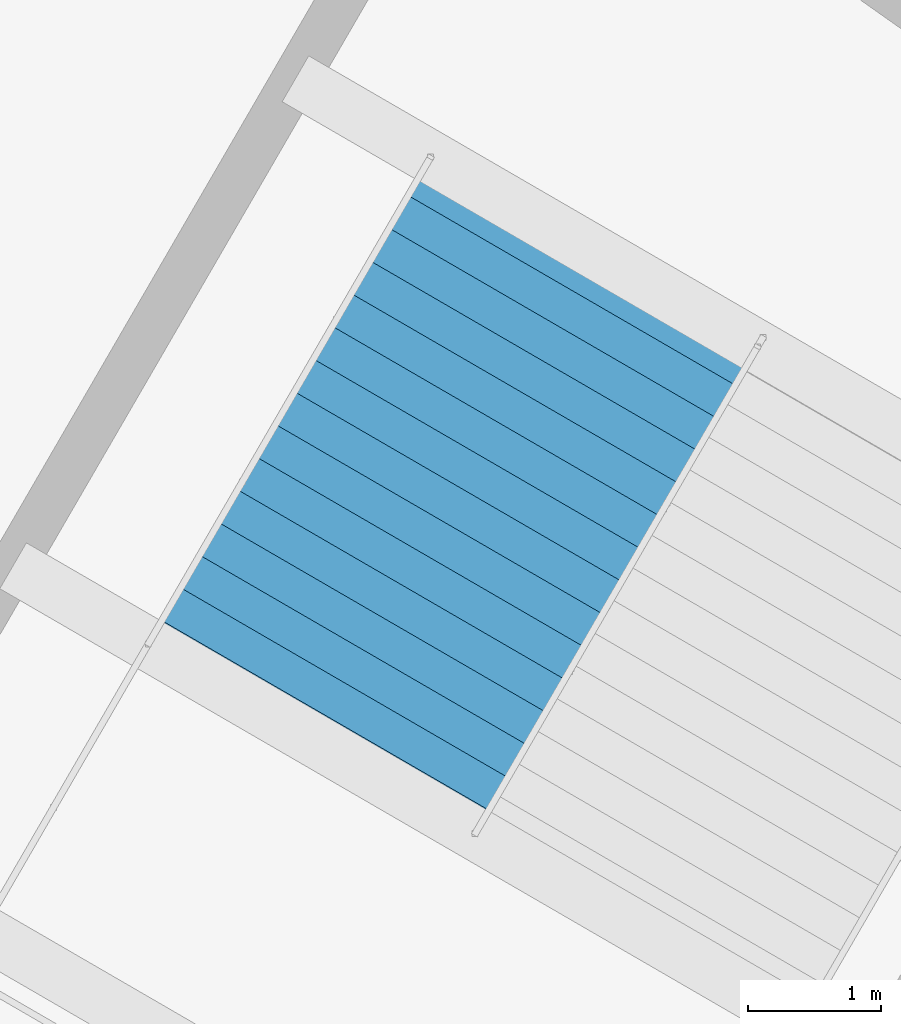
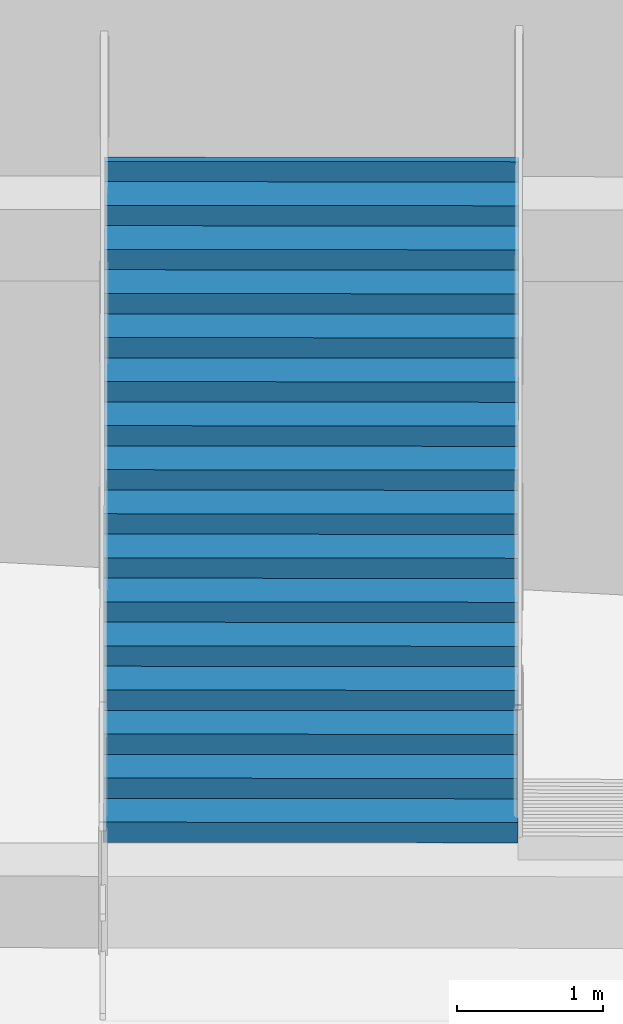
# One storey, part 34 of 49: 1 stair flight, 1 element without a shape of its own.
"""IFC4 building model written with IfcOpenShell, lengths in metres."""

from ifc_helpers import new_model, si_unit, direction, frame, origin, place, context, subcontext, project, spatial, polygons, material, type_object, element, aggregate, save


model = new_model("IFC4")

# Units and contexts
model_context = context("Model", 3, precision=1e-05, world=origin(), true_north=direction((0.0, 1.0)))
body_context = subcontext(model_context, "Body", "Model", "MODEL_VIEW")
ifc_project = project(units=[si_unit("LENGTHUNIT", "METRE"), si_unit("AREAUNIT", "SQUARE_METRE"), si_unit("VOLUMEUNIT", "CUBIC_METRE"), si_unit("PLANEANGLEUNIT", "RADIAN"), si_unit("MASSUNIT", "GRAM", prefix="KILO")], contexts=[model_context])

# Site, building, storey
site_placement = place(None, origin())
site = spatial("IfcSite", under=ifc_project, at=site_placement, CompositionType="ELEMENT")
building_placement = place(site_placement, origin())
building = spatial("IfcBuilding", under=site, at=building_placement, Name="Kazemori Nagisa Stadium", CompositionType="ELEMENT")
storey_placement = place(building_placement, frame((0.0, 0.0, -5.43994140625)))
storey = spatial("IfcBuildingStorey", under=building, at=storey_placement, Name="B1", CompositionType="ELEMENT", Elevation=-5.43994140625)

# Stair, stair flight
ifc_material = material(Name="Concrete C36/45 (Fc36)", Category="concrete")
stair_type = type_object("IfcStairType", Name="Stair_CORE_32", PredefinedType="TWO_STRAIGHT_RUN_STAIR", material=ifc_material)
stair_placement = place(storey_placement, origin())
stair = element("IfcStair", 1, at=stair_placement, inside=storey, type_object=stair_type, Name="Exit stair ST08 B1", PredefinedType="TWO_STRAIGHT_RUN_STAIR")
stair_flight_type = type_object("IfcStairFlightType", Name="Flight_CORE_16", PredefinedType="STRAIGHT", material=ifc_material)
stair_flight_placement = place(storey_placement, frame((44.868408203125, 148.343505859375, 2.719970703125), z_axis=(0.0, 0.0, 1.0), x_axis=(0.501596719773, 0.865101572483, 0.0)))
stair_flight = element("IfcStairFlight", 2, at=stair_flight_placement, type_object=stair_flight_type, Name="Exit stair ST08 B1 flight 2", NumberOfRisers=16, NumberOfTreads=15, PredefinedType="STRAIGHT", RiserHeight=0.17, TreadLength=0.285, context=body_context, shape_type="Tessellation", body=[
    polygons([(0.0, -1.425048828125, 0.0), (0.0, -1.425048828125, 0.169921875), (0.284912109375, -1.425048828125, 0.169921875), (0.284912109375, -1.425048828125, 0.340087890625), (0.570068359375, -1.425048828125, 0.340087890625), (0.570068359375, -1.425048828125, 0.510009765625), (0.85498046875, -1.425048828125, 0.510009765625), (0.85498046875, -1.425048828125, 0.679931640625), (1.139892578125, -1.425048828125, 0.679931640625), (1.139892578125, -1.425048828125, 0.85009765625), (1.425048828125, -1.425048828125, 0.85009765625), (1.425048828125, -1.425048828125, 1.02001953125), (1.7099609375, -1.425048828125, 1.02001953125), (1.7099609375, -1.425048828125, 1.18994140625), (1.9951171875, -1.425048828125, 1.18994140625), (1.9951171875, -1.425048828125, 1.360107421875), (2.280029296875, -1.425048828125, 1.360107421875), (2.280029296875, -1.425048828125, 1.530029296875), (2.56494140625, -1.425048828125, 1.530029296875), (2.56494140625, -1.425048828125, 1.699951171875), (2.85009765625, -1.425048828125, 1.699951171875), (2.85009765625, -1.425048828125, 1.8701171875), (3.135009765625, -1.425048828125, 1.8701171875), (3.135009765625, -1.425048828125, 2.0400390625), (3.419921875, -1.425048828125, 2.0400390625), (3.419921875, -1.425048828125, 2.2099609375), (3.705078125, -1.425048828125, 2.2099609375), (3.705078125, -1.425048828125, 2.3798828125), (3.989990234375, -1.425048828125, 2.3798828125), (3.989990234375, -1.425048828125, 2.550048828125), (4.27490234375, -1.425048828125, 2.550048828125), (4.27490234375, -1.425048828125, 2.719970703125), (4.324951171875, -1.425048828125, 2.719970703125), (4.324951171875, -1.425048828125, 2.346923828125), (4.27490234375, -1.425048828125, 2.317138671875), (3.989990234375, -1.425048828125, 2.147216796875), (3.705078125, -1.425048828125, 1.977294921875), (3.419921875, -1.425048828125, 1.80712890625), (3.135009765625, -1.425048828125, 1.63720703125), (2.85009765625, -1.425048828125, 1.46728515625), (2.56494140625, -1.425048828125, 1.297119140625), (2.280029296875, -1.425048828125, 1.127197265625), (1.9951171875, -1.425048828125, 0.957275390625), (1.7099609375, -1.425048828125, 0.787109375), (1.425048828125, -1.425048828125, 0.6171875), (1.139892578125, -1.425048828125, 0.447265625), (0.85498046875, -1.425048828125, 0.277099609375), (0.570068359375, -1.425048828125, 0.107177734375), (0.284912109375, -1.425048828125, 0.0), (0.0, -0.08544921875, 0.0), (0.0, -0.08544921875, 0.169921875), (0.284912109375, -0.08544921875, 0.169921875), (0.284912109375, -0.08544921875, 0.340087890625), (0.570068359375, -0.08544921875, 0.340087890625), (0.570068359375, -0.08544921875, 0.510009765625), (0.85498046875, -0.08544921875, 0.510009765625), (0.85498046875, -0.08544921875, 0.679931640625), (1.139892578125, -0.08544921875, 0.679931640625), (1.139892578125, -0.08544921875, 0.85009765625), (1.425048828125, -0.08544921875, 0.85009765625), (1.425048828125, -0.08544921875, 1.02001953125), (1.7099609375, -0.08544921875, 1.02001953125), (1.7099609375, -0.08544921875, 1.18994140625), (1.9951171875, -0.08544921875, 1.18994140625), (1.9951171875, -0.08544921875, 1.360107421875), (2.280029296875, -0.08544921875, 1.360107421875), (2.280029296875, -0.08544921875, 1.530029296875), (2.56494140625, -0.08544921875, 1.530029296875), (2.56494140625, -0.08544921875, 1.699951171875), (2.85009765625, -0.08544921875, 1.699951171875), (2.85009765625, -0.08544921875, 1.8701171875), (3.135009765625, -0.08544921875, 1.8701171875), (3.135009765625, -0.08544921875, 2.0400390625), (3.419921875, -0.08544921875, 2.0400390625), (3.419921875, -0.08544921875, 2.2099609375), (3.705078125, -0.08544921875, 2.2099609375), (3.705078125, -0.08544921875, 2.3798828125), (3.989990234375, -0.08544921875, 2.3798828125), (3.989990234375, -0.08544921875, 2.550048828125), (4.27490234375, -0.08544921875, 2.550048828125), (4.27490234375, -0.08544921875, 2.719970703125), (4.324951171875, -0.08544921875, 2.719970703125), (4.324951171875, -0.08544921875, 2.346923828125), (4.27490234375, -0.08544921875, 2.317138671875), (3.989990234375, -0.08544921875, 2.147216796875), (3.705078125, -0.08544921875, 1.977294921875), (3.419921875, -0.08544921875, 1.80712890625), (3.135009765625, -0.08544921875, 1.63720703125), (2.85009765625, -0.08544921875, 1.46728515625), (2.56494140625, -0.08544921875, 1.297119140625), (2.280029296875, -0.08544921875, 1.127197265625), (1.9951171875, -0.08544921875, 0.957275390625), (1.7099609375, -0.08544921875, 0.787109375), (1.425048828125, -0.08544921875, 0.6171875), (1.139892578125, -0.08544921875, 0.447265625), (0.85498046875, -0.08544921875, 0.277099609375), (0.570068359375, -0.08544921875, 0.107177734375), (0.284912109375, -0.08544921875, 0.0), (0.0, 0.0, 0.0), (0.0, 0.0, 0.169921875), (0.284912109375, 0.0, 0.169921875), (0.284912109375, 0.0, 0.340087890625), (0.570068359375, 0.0, 0.340087890625), (0.570068359375, 0.0, 0.510009765625), (0.85498046875, 0.0, 0.510009765625), (0.85498046875, 0.0, 0.679931640625), (1.139892578125, 0.0, 0.679931640625), (1.139892578125, 0.0, 0.85009765625), (1.425048828125, 0.0, 0.85009765625), (1.425048828125, 0.0, 1.02001953125), (1.7099609375, 0.0, 1.02001953125), (1.7099609375, 0.0, 1.18994140625), (1.9951171875, 0.0, 1.18994140625), (1.9951171875, 0.0, 1.360107421875), (2.280029296875, 0.0, 1.360107421875), (2.280029296875, 0.0, 1.530029296875), (2.56494140625, 0.0, 1.530029296875), (2.56494140625, 0.0, 1.699951171875), (2.85009765625, 0.0, 1.699951171875), (2.85009765625, 0.0, 1.8701171875), (3.135009765625, 0.0, 1.8701171875), (3.135009765625, 0.0, 2.0400390625), (3.419921875, 0.0, 2.0400390625), (3.419921875, 0.0, 2.2099609375), (3.705078125, 0.0, 2.2099609375), (3.705078125, 0.0, 2.3798828125), (3.989990234375, 0.0, 2.3798828125), (3.989990234375, 0.0, 2.550048828125), (4.27490234375, 0.0, 2.550048828125), (4.27490234375, 0.0, 2.719970703125), (4.324951171875, 0.0, 2.719970703125), (4.324951171875, 0.0, 2.346923828125), (4.27490234375, 0.0, 2.317138671875), (3.989990234375, 0.0, 2.147216796875), (3.705078125, 0.0, 1.977294921875), (3.419921875, 0.0, 1.80712890625), (3.135009765625, 0.0, 1.63720703125), (2.85009765625, 0.0, 1.46728515625), (2.56494140625, 0.0, 1.297119140625), (2.280029296875, 0.0, 1.127197265625), (1.9951171875, 0.0, 0.957275390625), (1.7099609375, 0.0, 0.787109375), (1.425048828125, 0.0, 0.6171875), (1.139892578125, 0.0, 0.447265625), (0.85498046875, 0.0, 0.277099609375), (0.570068359375, 0.0, 0.107177734375), (0.284912109375, 0.0, 0.0), (0.0, 0.08544921875, 0.0), (0.0, 0.08544921875, 0.169921875), (0.284912109375, 0.08544921875, 0.169921875), (0.284912109375, 0.08544921875, 0.340087890625), (0.570068359375, 0.08544921875, 0.340087890625), (0.570068359375, 0.08544921875, 0.510009765625), (0.85498046875, 0.08544921875, 0.510009765625), (0.85498046875, 0.08544921875, 0.679931640625), (1.139892578125, 0.08544921875, 0.679931640625), (1.139892578125, 0.08544921875, 0.85009765625), (1.425048828125, 0.08544921875, 0.85009765625), (1.425048828125, 0.08544921875, 1.02001953125), (1.7099609375, 0.08544921875, 1.02001953125), (1.7099609375, 0.08544921875, 1.18994140625), (1.9951171875, 0.08544921875, 1.18994140625), (1.9951171875, 0.08544921875, 1.360107421875), (2.280029296875, 0.08544921875, 1.360107421875), (2.280029296875, 0.08544921875, 1.530029296875), (2.56494140625, 0.08544921875, 1.530029296875), (2.56494140625, 0.08544921875, 1.699951171875), (2.85009765625, 0.08544921875, 1.699951171875), (2.85009765625, 0.08544921875, 1.8701171875), (3.135009765625, 0.08544921875, 1.8701171875), (3.135009765625, 0.08544921875, 2.0400390625), (3.419921875, 0.08544921875, 2.0400390625), (3.419921875, 0.08544921875, 2.2099609375), (3.705078125, 0.08544921875, 2.2099609375), (3.705078125, 0.08544921875, 2.3798828125), (3.989990234375, 0.08544921875, 2.3798828125), (3.989990234375, 0.08544921875, 2.550048828125), (4.27490234375, 0.08544921875, 2.550048828125), (4.27490234375, 0.08544921875, 2.719970703125), (4.324951171875, 0.08544921875, 2.719970703125), (4.324951171875, 0.08544921875, 2.346923828125), (4.27490234375, 0.08544921875, 2.317138671875), (3.989990234375, 0.08544921875, 2.147216796875), (3.705078125, 0.08544921875, 1.977294921875), (3.419921875, 0.08544921875, 1.80712890625), (3.135009765625, 0.08544921875, 1.63720703125), (2.85009765625, 0.08544921875, 1.46728515625), (2.56494140625, 0.08544921875, 1.297119140625), (2.280029296875, 0.08544921875, 1.127197265625), (1.9951171875, 0.08544921875, 0.957275390625), (1.7099609375, 0.08544921875, 0.787109375), (1.425048828125, 0.08544921875, 0.6171875), (1.139892578125, 0.08544921875, 0.447265625), (0.85498046875, 0.08544921875, 0.277099609375), (0.570068359375, 0.08544921875, 0.107177734375), (0.284912109375, 0.08544921875, 0.0), (0.0, 1.425048828125, 0.0), (0.0, 1.425048828125, 0.169921875), (0.284912109375, 1.425048828125, 0.169921875), (0.284912109375, 1.425048828125, 0.340087890625), (0.570068359375, 1.425048828125, 0.340087890625), (0.570068359375, 1.425048828125, 0.510009765625), (0.85498046875, 1.425048828125, 0.510009765625), (0.85498046875, 1.425048828125, 0.679931640625), (1.139892578125, 1.425048828125, 0.679931640625), (1.139892578125, 1.425048828125, 0.85009765625), (1.425048828125, 1.425048828125, 0.85009765625), (1.425048828125, 1.425048828125, 1.02001953125), (1.7099609375, 1.425048828125, 1.02001953125), (1.7099609375, 1.425048828125, 1.18994140625), (1.9951171875, 1.425048828125, 1.18994140625), (1.9951171875, 1.425048828125, 1.360107421875), (2.280029296875, 1.425048828125, 1.360107421875), (2.280029296875, 1.425048828125, 1.530029296875), (2.56494140625, 1.425048828125, 1.530029296875), (2.56494140625, 1.425048828125, 1.699951171875), (2.85009765625, 1.425048828125, 1.699951171875), (2.85009765625, 1.425048828125, 1.8701171875), (3.135009765625, 1.425048828125, 1.8701171875), (3.135009765625, 1.425048828125, 2.0400390625), (3.419921875, 1.425048828125, 2.0400390625), (3.419921875, 1.425048828125, 2.2099609375), (3.705078125, 1.425048828125, 2.2099609375), (3.705078125, 1.425048828125, 2.3798828125), (3.989990234375, 1.425048828125, 2.3798828125), (3.989990234375, 1.425048828125, 2.550048828125), (4.27490234375, 1.425048828125, 2.550048828125), (4.27490234375, 1.425048828125, 2.719970703125), (4.324951171875, 1.425048828125, 2.719970703125), (4.324951171875, 1.425048828125, 2.346923828125), (4.27490234375, 1.425048828125, 2.317138671875), (3.989990234375, 1.425048828125, 2.147216796875), (3.705078125, 1.425048828125, 1.977294921875), (3.419921875, 1.425048828125, 1.80712890625), (3.135009765625, 1.425048828125, 1.63720703125), (2.85009765625, 1.425048828125, 1.46728515625), (2.56494140625, 1.425048828125, 1.297119140625), (2.280029296875, 1.425048828125, 1.127197265625), (1.9951171875, 1.425048828125, 0.957275390625), (1.7099609375, 1.425048828125, 0.787109375), (1.425048828125, 1.425048828125, 0.6171875), (1.139892578125, 1.425048828125, 0.447265625), (0.85498046875, 1.425048828125, 0.277099609375), (0.570068359375, 1.425048828125, 0.107177734375), (0.284912109375, 1.425048828125, 0.0)], [[[1, 2, 51]], [[1, 51, 50]], [[2, 3, 52]], [[2, 52, 51]], [[3, 4, 53]], [[3, 53, 52]], [[4, 5, 54]], [[4, 54, 53]], [[5, 6, 55]], [[5, 55, 54]], [[6, 7, 56]], [[6, 56, 55]], [[7, 8, 57]], [[7, 57, 56]], [[8, 9, 58]], [[8, 58, 57]], [[9, 10, 59]], [[9, 59, 58]], [[10, 11, 60]], [[10, 60, 59]], [[11, 12, 61]], [[11, 61, 60]], [[12, 13, 62]], [[12, 62, 61]], [[13, 14, 63]], [[13, 63, 62]], [[14, 15, 64]], [[14, 64, 63]], [[15, 16, 65]], [[15, 65, 64]], [[16, 17, 66]], [[16, 66, 65]], [[17, 18, 67]], [[17, 67, 66]], [[18, 19, 68]], [[18, 68, 67]], [[19, 20, 69]], [[19, 69, 68]], [[20, 21, 70]], [[20, 70, 69]], [[21, 22, 71]], [[21, 71, 70]], [[22, 23, 72]], [[22, 72, 71]], [[23, 24, 73]], [[23, 73, 72]], [[24, 25, 74]], [[24, 74, 73]], [[25, 26, 75]], [[25, 75, 74]], [[26, 27, 76]], [[26, 76, 75]], [[27, 28, 77]], [[27, 77, 76]], [[28, 29, 78]], [[28, 78, 77]], [[29, 30, 79]], [[29, 79, 78]], [[30, 31, 80]], [[30, 80, 79]], [[31, 32, 81]], [[31, 81, 80]], [[32, 33, 82]], [[32, 82, 81]], [[33, 34, 83]], [[33, 83, 82]], [[34, 35, 84]], [[34, 84, 83]], [[35, 36, 85]], [[35, 85, 84]], [[36, 37, 86]], [[36, 86, 85]], [[37, 38, 87]], [[37, 87, 86]], [[38, 39, 88]], [[38, 88, 87]], [[39, 40, 89]], [[39, 89, 88]], [[40, 41, 90]], [[40, 90, 89]], [[41, 42, 91]], [[41, 91, 90]], [[42, 43, 92]], [[42, 92, 91]], [[43, 44, 93]], [[43, 93, 92]], [[44, 45, 94]], [[44, 94, 93]], [[45, 46, 95]], [[45, 95, 94]], [[46, 47, 96]], [[46, 96, 95]], [[47, 48, 97]], [[47, 97, 96]], [[48, 49, 98]], [[48, 98, 97]], [[49, 1, 50]], [[49, 50, 98]], [[50, 51, 100]], [[50, 100, 99]], [[51, 52, 101]], [[51, 101, 100]], [[52, 53, 102]], [[52, 102, 101]], [[53, 54, 103]], [[53, 103, 102]], [[54, 55, 104]], [[54, 104, 103]], [[55, 56, 105]], [[55, 105, 104]], [[56, 57, 106]], [[56, 106, 105]], [[57, 58, 107]], [[57, 107, 106]], [[58, 59, 108]], [[58, 108, 107]], [[59, 60, 109]], [[59, 109, 108]], [[60, 61, 110]], [[60, 110, 109]], [[61, 62, 111]], [[61, 111, 110]], [[62, 63, 112]], [[62, 112, 111]], [[63, 64, 113]], [[63, 113, 112]], [[64, 65, 114]], [[64, 114, 113]], [[65, 66, 115]], [[65, 115, 114]], [[66, 67, 116]], [[66, 116, 115]], [[67, 68, 117]], [[67, 117, 116]], [[68, 69, 118]], [[68, 118, 117]], [[69, 70, 119]], [[69, 119, 118]], [[70, 71, 120]], [[70, 120, 119]], [[71, 72, 121]], [[71, 121, 120]], [[72, 73, 122]], [[72, 122, 121]], [[73, 74, 123]], [[73, 123, 122]], [[74, 75, 124]], [[74, 124, 123]], [[75, 76, 125]], [[75, 125, 124]], [[76, 77, 126]], [[76, 126, 125]], [[77, 78, 127]], [[77, 127, 126]], [[78, 79, 128]], [[78, 128, 127]], [[79, 80, 129]], [[79, 129, 128]], [[80, 81, 130]], [[80, 130, 129]], [[81, 82, 131]], [[81, 131, 130]], [[82, 83, 132]], [[82, 132, 131]], [[83, 84, 133]], [[83, 133, 132]], [[84, 85, 134]], [[84, 134, 133]], [[85, 86, 135]], [[85, 135, 134]], [[86, 87, 136]], [[86, 136, 135]], [[87, 88, 137]], [[87, 137, 136]], [[88, 89, 138]], [[88, 138, 137]], [[89, 90, 139]], [[89, 139, 138]], [[90, 91, 140]], [[90, 140, 139]], [[91, 92, 141]], [[91, 141, 140]], [[92, 93, 142]], [[92, 142, 141]], [[93, 94, 143]], [[93, 143, 142]], [[94, 95, 144]], [[94, 144, 143]], [[95, 96, 145]], [[95, 145, 144]], [[96, 97, 146]], [[96, 146, 145]], [[97, 98, 147]], [[97, 147, 146]], [[98, 50, 99]], [[98, 99, 147]], [[99, 100, 149]], [[99, 149, 148]], [[100, 101, 150]], [[100, 150, 149]], [[101, 102, 151]], [[101, 151, 150]], [[102, 103, 152]], [[102, 152, 151]], [[103, 104, 153]], [[103, 153, 152]], [[104, 105, 154]], [[104, 154, 153]], [[105, 106, 155]], [[105, 155, 154]], [[106, 107, 156]], [[106, 156, 155]], [[107, 108, 157]], [[107, 157, 156]], [[108, 109, 158]], [[108, 158, 157]], [[109, 110, 159]], [[109, 159, 158]], [[110, 111, 160]], [[110, 160, 159]], [[111, 112, 161]], [[111, 161, 160]], [[112, 113, 162]], [[112, 162, 161]], [[113, 114, 163]], [[113, 163, 162]], [[114, 115, 164]], [[114, 164, 163]], [[115, 116, 165]], [[115, 165, 164]], [[116, 117, 166]], [[116, 166, 165]], [[117, 118, 167]], [[117, 167, 166]], [[118, 119, 168]], [[118, 168, 167]], [[119, 120, 169]], [[119, 169, 168]], [[120, 121, 170]], [[120, 170, 169]], [[121, 122, 171]], [[121, 171, 170]], [[122, 123, 172]], [[122, 172, 171]], [[123, 124, 173]], [[123, 173, 172]], [[124, 125, 174]], [[124, 174, 173]], [[125, 126, 175]], [[125, 175, 174]], [[126, 127, 176]], [[126, 176, 175]], [[127, 128, 177]], [[127, 177, 176]], [[128, 129, 178]], [[128, 178, 177]], [[129, 130, 179]], [[129, 179, 178]], [[130, 131, 180]], [[130, 180, 179]], [[131, 132, 181]], [[131, 181, 180]], [[132, 133, 182]], [[132, 182, 181]], [[133, 134, 183]], [[133, 183, 182]], [[134, 135, 184]], [[134, 184, 183]], [[135, 136, 185]], [[135, 185, 184]], [[136, 137, 186]], [[136, 186, 185]], [[137, 138, 187]], [[137, 187, 186]], [[138, 139, 188]], [[138, 188, 187]], [[139, 140, 189]], [[139, 189, 188]], [[140, 141, 190]], [[140, 190, 189]], [[141, 142, 191]], [[141, 191, 190]], [[142, 143, 192]], [[142, 192, 191]], [[143, 144, 193]], [[143, 193, 192]], [[144, 145, 194]], [[144, 194, 193]], [[145, 146, 195]], [[145, 195, 194]], [[146, 147, 196]], [[146, 196, 195]], [[147, 99, 148]], [[147, 148, 196]], [[148, 149, 198]], [[148, 198, 197]], [[149, 150, 199]], [[149, 199, 198]], [[150, 151, 200]], [[150, 200, 199]], [[151, 152, 201]], [[151, 201, 200]], [[152, 153, 202]], [[152, 202, 201]], [[153, 154, 203]], [[153, 203, 202]], [[154, 155, 204]], [[154, 204, 203]], [[155, 156, 205]], [[155, 205, 204]], [[156, 157, 206]], [[156, 206, 205]], [[157, 158, 207]], [[157, 207, 206]], [[158, 159, 208]], [[158, 208, 207]], [[159, 160, 209]], [[159, 209, 208]], [[160, 161, 210]], [[160, 210, 209]], [[161, 162, 211]], [[161, 211, 210]], [[162, 163, 212]], [[162, 212, 211]], [[163, 164, 213]], [[163, 213, 212]], [[164, 165, 214]], [[164, 214, 213]], [[165, 166, 215]], [[165, 215, 214]], [[166, 167, 216]], [[166, 216, 215]], [[167, 168, 217]], [[167, 217, 216]], [[168, 169, 218]], [[168, 218, 217]], [[169, 170, 219]], [[169, 219, 218]], [[170, 171, 220]], [[170, 220, 219]], [[171, 172, 221]], [[171, 221, 220]], [[172, 173, 222]], [[172, 222, 221]], [[173, 174, 223]], [[173, 223, 222]], [[174, 175, 224]], [[174, 224, 223]], [[175, 176, 225]], [[175, 225, 224]], [[176, 177, 226]], [[176, 226, 225]], [[177, 178, 227]], [[177, 227, 226]], [[178, 179, 228]], [[178, 228, 227]], [[179, 180, 229]], [[179, 229, 228]], [[180, 181, 230]], [[180, 230, 229]], [[181, 182, 231]], [[181, 231, 230]], [[182, 183, 232]], [[182, 232, 231]], [[183, 184, 233]], [[183, 233, 232]], [[184, 185, 234]], [[184, 234, 233]], [[185, 186, 235]], [[185, 235, 234]], [[186, 187, 236]], [[186, 236, 235]], [[187, 188, 237]], [[187, 237, 236]], [[188, 189, 238]], [[188, 238, 237]], [[189, 190, 239]], [[189, 239, 238]], [[190, 191, 240]], [[190, 240, 239]], [[191, 192, 241]], [[191, 241, 240]], [[192, 193, 242]], [[192, 242, 241]], [[193, 194, 243]], [[193, 243, 242]], [[194, 195, 244]], [[194, 244, 243]], [[195, 196, 245]], [[195, 245, 244]], [[196, 148, 197]], [[196, 197, 245]], [[3, 2, 1]], [[197, 198, 199]], [[49, 3, 1]], [[197, 199, 245]], [[48, 3, 49]], [[245, 199, 244]], [[5, 3, 48]], [[244, 199, 201]], [[5, 4, 3]], [[199, 200, 201]], [[47, 5, 48]], [[244, 201, 243]], [[7, 5, 47]], [[243, 201, 203]], [[7, 6, 5]], [[201, 202, 203]], [[46, 7, 47]], [[243, 203, 242]], [[9, 7, 46]], [[242, 203, 205]], [[9, 8, 7]], [[203, 204, 205]], [[45, 9, 46]], [[242, 205, 241]], [[11, 9, 45]], [[241, 205, 207]], [[11, 10, 9]], [[205, 206, 207]], [[44, 11, 45]], [[241, 207, 240]], [[13, 11, 44]], [[240, 207, 209]], [[13, 12, 11]], [[207, 208, 209]], [[43, 13, 44]], [[240, 209, 239]], [[15, 13, 43]], [[239, 209, 211]], [[15, 14, 13]], [[209, 210, 211]], [[42, 15, 43]], [[239, 211, 238]], [[17, 15, 42]], [[238, 211, 213]], [[17, 16, 15]], [[211, 212, 213]], [[41, 17, 42]], [[238, 213, 237]], [[19, 17, 41]], [[237, 213, 215]], [[19, 18, 17]], [[213, 214, 215]], [[40, 19, 41]], [[237, 215, 236]], [[21, 19, 40]], [[236, 215, 217]], [[21, 20, 19]], [[215, 216, 217]], [[39, 21, 40]], [[236, 217, 235]], [[23, 21, 39]], [[235, 217, 219]], [[23, 22, 21]], [[217, 218, 219]], [[38, 23, 39]], [[235, 219, 234]], [[25, 23, 38]], [[234, 219, 221]], [[25, 24, 23]], [[219, 220, 221]], [[37, 25, 38]], [[234, 221, 233]], [[27, 25, 37]], [[233, 221, 223]], [[27, 26, 25]], [[221, 222, 223]], [[36, 27, 37]], [[233, 223, 232]], [[29, 27, 36]], [[232, 223, 225]], [[29, 28, 27]], [[223, 224, 225]], [[35, 29, 36]], [[232, 225, 231]], [[31, 29, 35]], [[231, 225, 227]], [[31, 30, 29]], [[225, 226, 227]], [[34, 31, 35]], [[231, 227, 230]], [[33, 31, 34]], [[230, 227, 229]], [[33, 32, 31]], [[227, 228, 229]]], closed=True),
])
aggregate(stair, [stair_flight])

save(model, "model.ifc")
